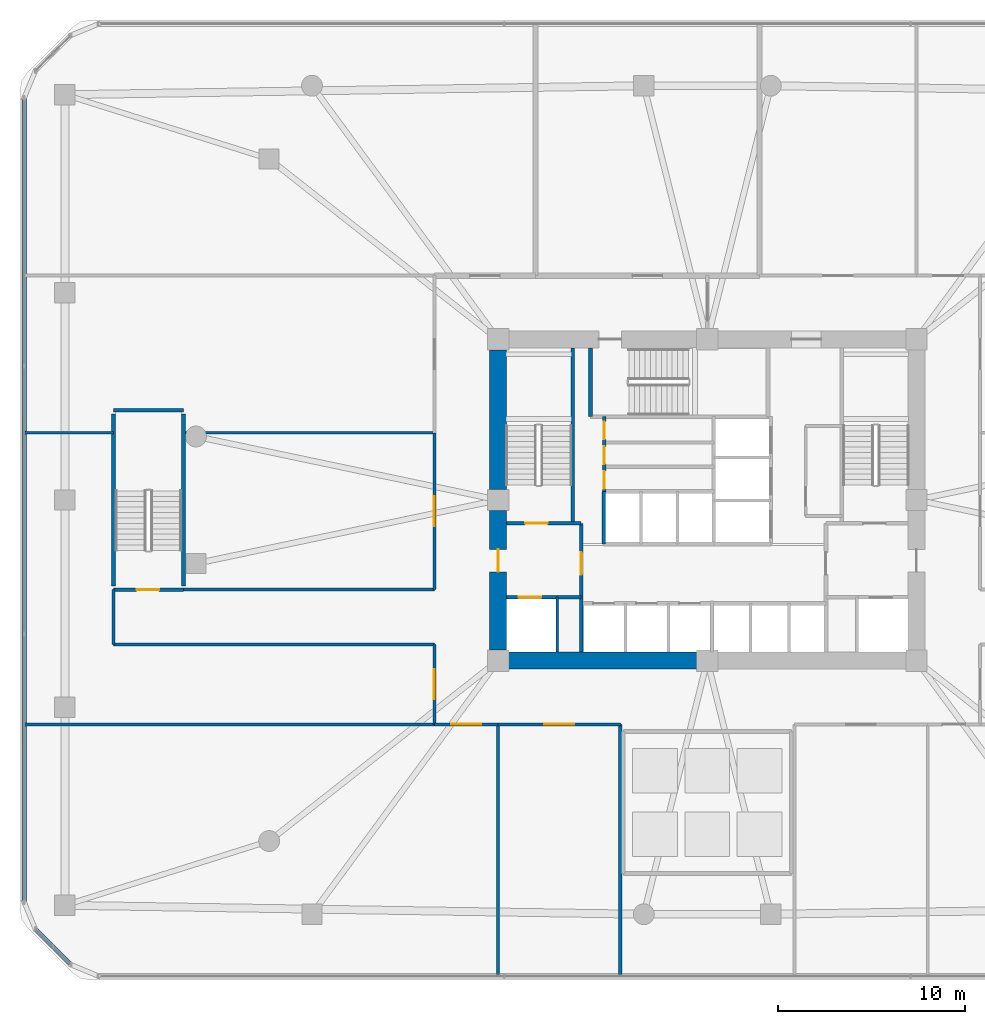
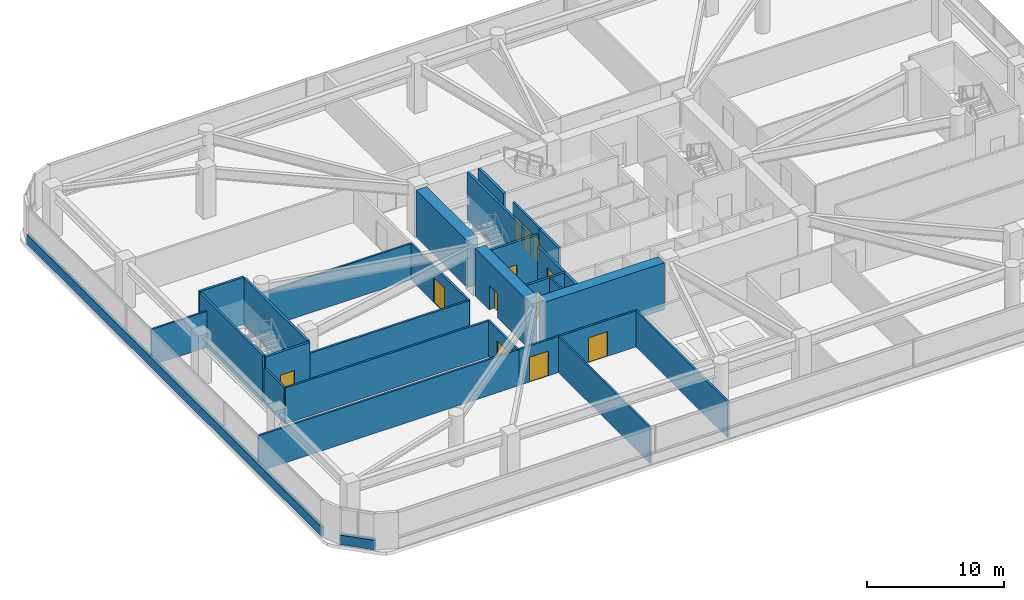
# One storey, part 16 of 21: 29 walls, 12 doors, 12 openings.
"""IFC4 building model written with IfcOpenShell, lengths in metres."""

from ifc_helpers import new_model, si_unit, derived_unit, direction, frame, frame_2d, origin, place, context, subcontext, project, spatial, rectangle, extrude, material, layer, layer_set, type_object, element, fill, save


model = new_model("IFC4")

# Units and contexts
model_context = context("Model", 3, precision=1e-05, world=origin(), true_north=direction((0.0, 1.0)))
body_context = subcontext(model_context, "Body", "Model", "MODEL_VIEW")
ifc_project = project(units=[si_unit("LENGTHUNIT", "METRE"), si_unit("AREAUNIT", "SQUARE_METRE"), si_unit("VOLUMEUNIT", "CUBIC_METRE"), si_unit("PLANEANGLEUNIT", "RADIAN"), si_unit("MASSUNIT", "GRAM", prefix="KILO"), derived_unit("THERMALTRANSMITTANCEUNIT", [(si_unit("POWERUNIT", "WATT"), 1), (si_unit("LENGTHUNIT", "METRE"), -2), (si_unit("THERMODYNAMICTEMPERATUREUNIT", "KELVIN"), -1)])], contexts=[model_context])

# Site, building, storey
site_placement = place(None, origin())
site = spatial("IfcSite", under=ifc_project, at=site_placement, CompositionType="ELEMENT")
building_placement = place(site_placement, origin())
building = spatial("IfcBuilding", under=site, at=building_placement, Name="Koralith Skygarden Medical Center", CompositionType="ELEMENT")
storey_placement = place(building_placement, frame((0.0, 0.0, 9.89990234375)))
storey = spatial("IfcBuildingStorey", under=building, at=storey_placement, Name="L02", CompositionType="ELEMENT", Elevation=9.89990234375)

# Walls
ifc_material_1 = material(Name="Gypsum Board Partition")
ifc_layer_1 = layer(ifc_material_1, 0.14990234375)
ifc_layer_set_1 = layer_set([ifc_layer_1], Name="Gypsum Board Partition")
wall_type_1 = type_object("IfcWallType", Name="Clinical Acoustic Partition 150", PredefinedType="PARTITIONING", material=ifc_layer_set_1)
wall_1_placement = place(storey_placement, frame((25.800048828125, 0.43994140625, 0.0), z_axis=(0.0, 0.0, 1.0), x_axis=(0.0, 1.0, 0.0)))
element("IfcWall", 1, at=wall_1_placement, inside=storey, type_object=wall_type_1, Name="L02 Clinical Acoustic Partition 150 W-PDPART-L02-SL-1", PredefinedType="PARTITIONING", context=body_context, shape_type="SweptSolid", body=[
    extrude(rectangle(XDim=13.449951171875, YDim=0.14990234375, at=frame_2d((6.72509765625, 0.0))), origin(), (0.0, 0.0, 1.0), 3.210205078125),
])
wall_2_placement = place(storey_placement, frame((8.949951171875, 29.5, 0.0), z_axis=(0.0, 0.0, 1.0), x_axis=(1.0, 0.0, 0.0)))
element("IfcWall", 2, at=wall_2_placement, inside=storey, type_object=wall_type_1, Name="L02 Clinical Acoustic Partition 150 W-PDPART-L02-W-NA", PredefinedType="PARTITIONING", context=body_context, shape_type="SweptSolid", body=[
    extrude(rectangle(XDim=13.43994140625, YDim=0.14990234375, at=frame_2d((6.719970703125, 0.0))), origin(), (0.0, 0.0, 1.0), 3.210205078125),
])
wall_3_placement = place(storey_placement, frame((5.199951171875, 29.5, 0.0), z_axis=(0.0, 0.0, 1.0), x_axis=(-1.0, 0.0, 0.0)))
element("IfcWall", 3, at=wall_3_placement, inside=storey, type_object=wall_type_1, Name="L02 Clinical Acoustic Partition 150 W-PDPART-L02-W-NB", PredefinedType="PARTITIONING", context=body_context, shape_type="SweptSolid", body=[
    extrude(rectangle(XDim=4.760009765625, YDim=0.14990234375, at=frame_2d((2.3798828125, 0.0))), origin(), (0.0, 0.0, 1.0), 3.210205078125),
])
ifc_layer_2 = layer(ifc_material_1, 0.1650390625)
ifc_layer_set_2 = layer_set([ifc_layer_2], Name="Gypsum Board Partition")
wall_type_2 = type_object("IfcWallType", Name="Clinical Corridor Partition 165", PredefinedType="PARTITIONING", material=ifc_layer_set_2)
wall_4_placement = place(storey_placement, frame((0.43994140625, 13.889892578125, 0.0), z_axis=(0.0, 0.0, 1.0), x_axis=(1.0, 0.0, 0.0)))
element("IfcWall", 4, at=wall_4_placement, inside=storey, type_object=wall_type_2, Name="L02 Clinical Corridor Partition 165 W-WB-L02-SW", PredefinedType="PARTITIONING", context=body_context, shape_type="SweptSolid", body=[
    extrude(rectangle(XDim=21.949951171875, YDim=0.1650390625, at=frame_2d((10.97509765625, 0.0))), origin(), (0.0, 0.0, 1.0), 3.210205078125),
])
wall_5_placement = place(storey_placement, frame((5.199951171875, 18.169921875, 0.0), z_axis=(0.0, 0.0, 1.0), x_axis=(1.0, 0.0, 0.0)))
element("IfcWall", 5, at=wall_5_placement, inside=storey, type_object=wall_type_2, Name="L02 Clinical Corridor Partition 165 W-PARM-L02-WS", PredefinedType="PARTITIONING", context=body_context, shape_type="SweptSolid", body=[
    extrude(rectangle(XDim=17.18994140625, YDim=0.1650390625, at=frame_2d((8.594970703125, 0.0))), origin(), (0.0, 0.0, 1.0), 3.210205078125),
])
wall_6_placement = place(storey_placement, frame((5.199951171875, 18.169921875, 0.0), z_axis=(0.0, 0.0, 1.0), x_axis=(0.0, 1.0, 0.0)))
element("IfcWall", 6, at=wall_6_placement, inside=storey, type_object=wall_type_2, Name="L02 Clinical Corridor Partition 165 W-PARM-L02-WW", PredefinedType="PARTITIONING", context=body_context, shape_type="SweptSolid", body=[
    extrude(rectangle(XDim=2.93017578125, YDim=0.1650390625, at=frame_2d((1.465087890625, 0.0))), origin(), (0.0, 0.0, 1.0), 3.210205078125),
])
wall_7_placement = place(storey_placement, frame((8.949951171875, 21.10009765625, 0.0), z_axis=(0.0, 0.0, 1.0), x_axis=(1.0, 0.0, 0.0)))
element("IfcWall", 7, at=wall_7_placement, inside=storey, type_object=wall_type_2, Name="L02 Clinical Corridor Partition 165 W-PARM-L02-WN", PredefinedType="PARTITIONING", context=body_context, shape_type="SweptSolid", body=[
    extrude(rectangle(XDim=13.43994140625, YDim=0.1650390625, at=frame_2d((6.719970703125, 0.0))), origin(), (0.0, 0.0, 1.0), 3.210205078125),
])
wall_8_placement = place(storey_placement, frame((32.340087890625, 0.43994140625, 0.0), z_axis=(0.0, 0.0, 1.0), x_axis=(0.0, 1.0, 0.0)))
element("IfcWall", 8, at=wall_8_placement, inside=storey, type_object=wall_type_2, Name="L02 Clinical Corridor Partition 165 W-PATR-L02-W", PredefinedType="PARTITIONING", context=body_context, shape_type="SweptSolid", body=[
    extrude(rectangle(XDim=13.449951171875, YDim=0.1650390625, at=frame_2d((6.72509765625, 0.0))), origin(), (0.0, 0.0, 1.0), 3.210205078125),
])

# Wall, opening, door
wall_9_placement = place(storey_placement, frame((22.389892578125, 13.889892578125, 0.0), z_axis=(0.0, 0.0, 1.0), x_axis=(1.0, 0.0, 0.0)))
wall_9 = element("IfcWall", 9, at=wall_9_placement, inside=storey, type_object=wall_type_2, Name="L02 Clinical Corridor Partition 165 W-PDCOR-L02-SL-1", PredefinedType="PARTITIONING", context=body_context, shape_type="SweptSolid", body=[
    extrude(rectangle(XDim=3.41015625, YDim=0.1650390625, at=frame_2d((1.705078125, 0.0))), origin(), (0.0, 0.0, 1.0), 3.210205078125),
])
opening_1_placement = place(wall_9_placement, frame((0.905029296875, 0.0, 0.0)))
opening_1 = element("IfcOpeningElement", 10, at=opening_1_placement, cuts=wall_9, Name="Opening D-DBL", PredefinedType="OPENING", context=body_context, shape_type="SweptSolid", body=[
    extrude(rectangle(XDim=1.60009765625, YDim=2.199951171875, at=frame_2d((0.800048828125, 1.10009765625))), frame((0.0, 0.092529296875, 0.0), z_axis=(0.0, -1.0, 0.0), x_axis=(1.0, 0.0, 0.0)), (0.0, 0.0, 1.0), 0.18505859375),
])
ifc_material_2 = material(Name="Aluminium 6063-T6", Category="aluminium")
door_type_1 = type_object("IfcDoorType", Name="Double Clinical Suite Door D-DBL 1600", OperationType="NOTDEFINED", PredefinedType="DOOR", material=ifc_material_2)
door_1_placement = place(opening_1_placement, frame((1.60009765625, 0.0, 0.0), z_axis=(0.0, 0.0, 1.0), x_axis=(-1.0, 0.0, 0.0)))
door_1 = element("IfcDoor", 11, at=door_1_placement, inside=storey, type_object=door_type_1, Name="L02 Fluoroscopy and Ultrasound Suite Door", OperationType="DOUBLE_DOOR_SINGLE_SWING", OverallHeight=2.199951171875, OverallWidth=1.60009765625, PredefinedType="DOOR", context=body_context, shape_type="SweptSolid", body=[
    extrude(rectangle(XDim=1.60009765625, YDim=2.199951171875, at=frame_2d((0.800048828125, 1.10009765625))), frame((0.0, 0.02490234375, 0.0), z_axis=(0.0, -1.0, 0.0), x_axis=(1.0, 0.0, 0.0)), (0.0, 0.0, 1.0), 0.050048828125),
])
fill(opening_1, door_1)

wall_10_placement = place(storey_placement, frame((25.800048828125, 13.889892578125, 0.0), z_axis=(0.0, 0.0, 1.0), x_axis=(1.0, 0.0, 0.0)))
wall_10 = element("IfcWall", 12, at=wall_10_placement, inside=storey, type_object=wall_type_2, Name="L02 Clinical Corridor Partition 165 W-PDCOR-L02-SL-2", PredefinedType="PARTITIONING", context=body_context, shape_type="SweptSolid", body=[
    extrude(rectangle(XDim=6.5400390625, YDim=0.1650390625, at=frame_2d((3.27001953125, 0.0))), origin(), (0.0, 0.0, 1.0), 3.210205078125),
])
opening_2_placement = place(wall_10_placement, frame((2.469970703125, 0.0, 0.0)))
opening_2 = element("IfcOpeningElement", 13, at=opening_2_placement, cuts=wall_10, Name="Opening D-DBL", PredefinedType="OPENING", context=body_context, shape_type="SweptSolid", body=[
    extrude(rectangle(XDim=1.60009765625, YDim=2.199951171875, at=frame_2d((0.800048828125, 1.10009765625))), frame((0.0, 0.092529296875, 0.0), z_axis=(0.0, -1.0, 0.0), x_axis=(1.0, 0.0, 0.0)), (0.0, 0.0, 1.0), 0.18505859375),
])
door_2_placement = place(opening_2_placement, frame((1.60009765625, 0.0, 0.0), z_axis=(0.0, 0.0, 1.0), x_axis=(-1.0, 0.0, 0.0)))
door_2 = element("IfcDoor", 14, at=door_2_placement, inside=storey, type_object=door_type_1, Name="L02 Imaging Prep and Holding Office Door", OperationType="DOUBLE_DOOR_SINGLE_SWING", OverallHeight=2.199951171875, OverallWidth=1.60009765625, PredefinedType="DOOR", context=body_context, shape_type="SweptSolid", body=[
    extrude(rectangle(XDim=1.60009765625, YDim=2.199951171875, at=frame_2d((0.800048828125, 1.10009765625))), frame((0.0, 0.02490234375, 0.0), z_axis=(0.0, -1.0, 0.0), x_axis=(1.0, 0.0, 0.0)), (0.0, 0.0, 1.0), 0.050048828125),
])
fill(opening_2, door_2)

wall_11_placement = place(storey_placement, frame((22.389892578125, 13.889892578125, 0.0), z_axis=(0.0, 0.0, 1.0), x_axis=(0.0, 1.0, 0.0)))
wall_11 = element("IfcWall", 15, at=wall_11_placement, inside=storey, type_object=wall_type_2, Name="L02 Clinical Corridor Partition 165 W-PDCOR-L02-W-1", PredefinedType="PARTITIONING", context=body_context, shape_type="SweptSolid", body=[
    extrude(rectangle(XDim=4.280029296875, YDim=0.1650390625, at=frame_2d((2.14013671875, 0.0))), origin(), (0.0, 0.0, 1.0), 3.210205078125),
])
opening_3_placement = place(wall_11_placement, frame((1.340087890625, 0.0, 0.0)))
opening_3 = element("IfcOpeningElement", 16, at=opening_3_placement, cuts=wall_11, Name="Opening D-DBL", PredefinedType="OPENING", context=body_context, shape_type="SweptSolid", body=[
    extrude(rectangle(XDim=1.60009765625, YDim=2.199951171875, at=frame_2d((0.800048828125, 1.10009765625))), frame((0.0, 0.092529296875, 0.0), z_axis=(0.0, -1.0, 0.0), x_axis=(1.0, 0.0, 0.0)), (0.0, 0.0, 1.0), 0.18505859375),
])
door_3_placement = place(opening_3_placement, frame((1.60009765625, 0.0, 0.0), z_axis=(0.0, 0.0, 1.0), x_axis=(-1.0, 0.0, 0.0)))
door_3 = element("IfcDoor", 17, at=door_3_placement, inside=storey, type_object=door_type_1, Name="L02 PET-CT Nuclear Medicine Suite Door", OperationType="DOUBLE_DOOR_SINGLE_SWING", OverallHeight=2.199951171875, OverallWidth=1.60009765625, PredefinedType="DOOR", context=body_context, shape_type="SweptSolid", body=[
    extrude(rectangle(XDim=1.60009765625, YDim=2.199951171875, at=frame_2d((0.800048828125, 1.10009765625))), frame((0.0, 0.02490234375, 0.0), z_axis=(0.0, -1.0, 0.0), x_axis=(1.0, 0.0, 0.0)), (0.0, 0.0, 1.0), 0.050048828125),
])
fill(opening_3, door_3)

wall_12_placement = place(storey_placement, frame((22.389892578125, 21.10009765625, 0.0), z_axis=(0.0, 0.0, 1.0), x_axis=(0.0, 1.0, 0.0)))
wall_12 = element("IfcWall", 18, at=wall_12_placement, inside=storey, type_object=wall_type_2, Name="L02 Clinical Corridor Partition 165 W-PDCOR-L02-W-2", PredefinedType="PARTITIONING", context=body_context, shape_type="SweptSolid", body=[
    extrude(rectangle(XDim=8.39990234375, YDim=0.1650390625, at=frame_2d((4.199951171875, 0.0))), origin(), (0.0, 0.0, 1.0), 3.210205078125),
])
opening_4_placement = place(wall_12_placement, frame((3.39990234375, 0.0, 0.0)))
opening_4 = element("IfcOpeningElement", 19, at=opening_4_placement, cuts=wall_12, Name="Opening D-DBL", PredefinedType="OPENING", context=body_context, shape_type="SweptSolid", body=[
    extrude(rectangle(XDim=1.60009765625, YDim=2.199951171875, at=frame_2d((0.800048828125, 1.10009765625))), frame((0.0, 0.092529296875, 0.0), z_axis=(0.0, -1.0, 0.0), x_axis=(1.0, 0.0, 0.0)), (0.0, 0.0, 1.0), 0.18505859375),
])
door_4_placement = place(opening_4_placement, frame((1.60009765625, 0.0, 0.0), z_axis=(0.0, 0.0, 1.0), x_axis=(-1.0, 0.0, 0.0)))
door_4 = element("IfcDoor", 20, at=door_4_placement, inside=storey, type_object=door_type_1, Name="L02 Imaging Control and Prep Room Door", OperationType="DOUBLE_DOOR_SINGLE_SWING", OverallHeight=2.199951171875, OverallWidth=1.60009765625, PredefinedType="DOOR", context=body_context, shape_type="SweptSolid", body=[
    extrude(rectangle(XDim=1.60009765625, YDim=2.199951171875, at=frame_2d((0.800048828125, 1.10009765625))), frame((0.0, 0.02490234375, 0.0), z_axis=(0.0, -1.0, 0.0), x_axis=(1.0, 0.0, 0.0)), (0.0, 0.0, 1.0), 0.050048828125),
])
fill(opening_4, door_4)

ifc_layer_3 = layer(ifc_material_1, 0.199951171875)
ifc_layer_set_3 = layer_set([ifc_layer_3], Name="Gypsum Board Partition")
wall_type_3 = type_object("IfcWallType", Name="Fire Shaft Wall 200", PredefinedType="SOLIDWALL", material=ifc_layer_set_3)
wall_13_placement = place(storey_placement, frame((26.25, 20.699951171875, 0.0), z_axis=(0.0, 0.0, 1.0), x_axis=(1.0, 0.0, 0.0)))
wall_13 = element("IfcWall", 21, at=wall_13_placement, inside=storey, type_object=wall_type_3, Name="L02 Fire Shaft Wall 200 W-CORE-L02-FF1-N", PredefinedType="SOLIDWALL", context=body_context, shape_type="SweptSolid", body=[
    extrude(rectangle(XDim=4.0, YDim=0.199951171875, at=frame_2d((2.0, 0.0))), origin(), (0.0, 0.0, 1.0), 3.210205078125),
])
opening_5_placement = place(wall_13_placement, frame((0.64990234375, 0.0, 0.0)))
opening_5 = element("IfcOpeningElement", 22, at=opening_5_placement, cuts=wall_13, Name="Opening LD-FF", PredefinedType="OPENING", context=body_context, shape_type="SweptSolid", body=[
    extrude(rectangle(XDim=1.199951171875, YDim=2.14990234375, at=frame_2d((0.60009765625, 1.074951171875))), frame((0.0, 0.10986328125, 0.0), z_axis=(0.0, -1.0, 0.0), x_axis=(1.0, 0.0, 0.0)), (0.0, 0.0, 1.0), 0.219970703125),
])
ifc_material_3 = material(Name="Steel ASTM A500 Grade C", Category="steel")
door_type_2 = type_object("IfcDoorType", Name="Fire Lift Sliding Landing Door LD-FF 1200", OperationType="NOTDEFINED", PredefinedType="DOOR", material=ifc_material_3)
door_5_placement = place(opening_5_placement, origin())
door_5 = element("IfcDoor", 23, at=door_5_placement, inside=storey, type_object=door_type_2, Name="L02 Fire Service Elevator FF1 Landing Door", OperationType="SLIDING_TO_LEFT", OverallHeight=2.14990234375, OverallWidth=1.199951171875, PredefinedType="DOOR", context=body_context, shape_type="SweptSolid", body=[
    extrude(rectangle(XDim=1.199951171875, YDim=2.14990234375, at=frame_2d((0.60009765625, 1.074951171875))), frame((0.0, 0.02490234375, 0.0), z_axis=(0.0, -1.0, 0.0), x_axis=(1.0, 0.0, 0.0)), (0.0, 0.0, 1.0), 0.050048828125),
])
fill(opening_5, door_5)

wall_14_placement = place(storey_placement, frame((30.25, 17.75, 0.0), z_axis=(0.0, 0.0, 1.0), x_axis=(0.0, 1.0, 0.0)))
wall_14 = element("IfcWall", 24, at=wall_14_placement, inside=storey, type_object=wall_type_3, Name="L02 Fire Shaft Wall 200 W-CORE-L02-FSAEW-E", PredefinedType="SOLIDWALL", context=body_context, shape_type="SweptSolid", body=[
    extrude(rectangle(XDim=6.89990234375, YDim=0.199951171875, at=frame_2d((3.449951171875, 0.0))), origin(), (0.0, 0.0, 1.0), 3.210205078125),
])
opening_6_placement = place(wall_14_placement, frame((4.14990234375, 0.0, 0.0)))
opening_6 = element("IfcOpeningElement", 25, at=opening_6_placement, cuts=wall_14, Name="Opening D-ST60", PredefinedType="OPENING", context=body_context, shape_type="SweptSolid", body=[
    extrude(rectangle(XDim=1.199951171875, YDim=2.14990234375, at=frame_2d((0.60009765625, 1.074951171875))), frame((0.0, 0.10986328125, 0.0), z_axis=(0.0, -1.0, 0.0), x_axis=(1.0, 0.0, 0.0)), (0.0, 0.0, 1.0), 0.219970703125),
])
door_type_3 = type_object("IfcDoorType", Name="Smokeproof Stair Fire Door FD60S 1200", OperationType="NOTDEFINED", PredefinedType="DOOR", material=ifc_material_3)
door_6_placement = place(opening_6_placement, origin())
door_6 = element("IfcDoor", 26, at=door_6_placement, inside=storey, type_object=door_type_3, Name="L02 West Firefighting Lobby Inner Fire Door", OperationType="SINGLE_SWING_LEFT", OverallHeight=2.14990234375, OverallWidth=1.199951171875, PredefinedType="DOOR", context=body_context, shape_type="SweptSolid", body=[
    extrude(rectangle(XDim=1.199951171875, YDim=2.14990234375, at=frame_2d((0.60009765625, 1.074951171875))), frame((0.0, 0.02490234375, 0.0), z_axis=(0.0, -1.0, 0.0), x_axis=(1.0, 0.0, 0.0)), (0.0, 0.0, 1.0), 0.050048828125),
])
fill(opening_6, door_6)

# Walls
wall_15_placement = place(storey_placement, frame((31.449951171875, 23.5400390625, 0.0), z_axis=(0.0, 0.0, 1.0), x_axis=(0.0, 1.0, 0.0)))
element("IfcWall", 27, at=wall_15_placement, inside=storey, type_object=wall_type_3, Name="L02 Fire Shaft Wall 200 W-CORE-L02-PH-W", PredefinedType="SOLIDWALL", context=body_context, shape_type="SweptSolid", body=[
    extrude(rectangle(XDim=2.81005859375, YDim=0.199951171875, at=frame_2d((1.405029296875, 0.0))), origin(), (0.0, 0.0, 1.0), 3.210205078125),
])
ifc_material_4 = material(Name="Warm Oolitic Limestone Cladding", Category="masonry")
ifc_layer_4 = layer(ifc_material_4, 0.239990234375)
ifc_layer_set_4 = layer_set([ifc_layer_4], Name="Warm Oolitic Limestone Cladding")
wall_type_4 = type_object("IfcWallType", Name="Limestone Spandrel Sill Backup Wall 240", PredefinedType="SOLIDWALL", material=ifc_layer_set_4)
wall_16_placement = place(storey_placement, frame((0.419921875, 47.4208984375, 0.0), z_axis=(0.0, 0.0, 1.0), x_axis=(0.0, -1.0, 0.0)))
element("IfcWall", 28, at=wall_16_placement, inside=storey, type_object=wall_type_4, Name="L02 Sill Spandrel Wall W", PredefinedType="SOLIDWALL", context=body_context, shape_type="SweptSolid", body=[
    extrude(rectangle(XDim=43.0419921875, YDim=0.239990234375, at=frame_2d((21.52099609375, 0.0))), origin(), (0.0, 0.0, 1.0), 0.85009765625),
])
wall_17_placement = place(storey_placement, frame((1.02099609375, 2.927978515625, 0.0), z_axis=(0.0, 0.0, 1.0), x_axis=(0.707106781187, -0.707106781187, 0.0)))
element("IfcWall", 29, at=wall_17_placement, inside=storey, type_object=wall_type_4, Name="L02 Sill Spandrel Wall SW", PredefinedType="SOLIDWALL", context=body_context, shape_type="SweptSolid", body=[
    extrude(rectangle(XDim=2.69677734375, YDim=0.239990234375, at=frame_2d((1.348388671875, 0.0))), origin(), (0.0, 0.0, 1.0), 0.85009765625),
])
ifc_material_5 = material(Name="Concrete C70/85", Category="concrete")
ifc_layer_5 = layer(ifc_material_5, 0.89990234375)
ifc_layer_set_5 = layer_set([ifc_layer_5], Name="Concrete C70/85")
wall_type_5 = type_object("IfcWallType", Name="Lower Core Shear Wall 900", PredefinedType="SHEAR", material=ifc_layer_set_5)
wall_18_placement = place(storey_placement, frame((26.364990234375, 17.300048828125, 0.0), z_axis=(0.0, 0.0, 1.0), x_axis=(1.0, 0.0, 0.0)))
element("IfcWall", 30, at=wall_18_placement, inside=storey, type_object=wall_type_5, Name="L02 Core Shear Wall Segment 1", PredefinedType="SHEAR", context=body_context, shape_type="SweptSolid", body=[
    extrude(rectangle(XDim=10.070068359375, YDim=0.89990234375, at=frame_2d((5.03515625, 0.0))), origin(), (0.0, 0.0, 1.0), 4.2001953125),
])
wall_19_placement = place(storey_placement, frame((25.800048828125, 33.93505859375, 0.0), z_axis=(0.0, 0.0, 1.0), x_axis=(0.0, -1.0, 0.0)))
element("IfcWall", 31, at=wall_19_placement, inside=storey, type_object=wall_type_5, Name="L02 Core Shear Wall Segment 7", PredefinedType="SHEAR", context=body_context, shape_type="SweptSolid", body=[
    extrude(rectangle(XDim=7.469970703125, YDim=0.89990234375, at=frame_2d((3.73486328125, 0.0))), origin(), (0.0, 0.0, 1.0), 4.2001953125),
])

# Wall, opening, door
wall_20_placement = place(storey_placement, frame((25.800048828125, 25.3349609375, 0.0), z_axis=(0.0, 0.0, 1.0), x_axis=(0.0, -1.0, 0.0)))
wall_20 = element("IfcWall", 32, at=wall_20_placement, inside=storey, type_object=wall_type_5, Name="L02 Core Shear Wall Segment 8", PredefinedType="SHEAR", context=body_context, shape_type="SweptSolid", body=[
    extrude(rectangle(XDim=7.469970703125, YDim=0.89990234375, at=frame_2d((3.73486328125, 0.0))), origin(), (0.0, 0.0, 1.0), 4.2001953125),
])
opening_7_placement = place(wall_20_placement, frame((2.0849609375, 0.0, 0.0)))
opening_7 = element("IfcOpeningElement", 33, at=opening_7_placement, cuts=wall_20, Name="Opening D-ST60", PredefinedType="OPENING", context=body_context, shape_type="SweptSolid", body=[
    extrude(rectangle(XDim=1.199951171875, YDim=2.14990234375, at=frame_2d((0.60009765625, 1.074951171875))), frame((0.0, 0.4599609375, 0.0), z_axis=(0.0, -1.0, 0.0), x_axis=(1.0, 0.0, 0.0)), (0.0, 0.0, 1.0), 0.919921875),
])
door_7_placement = place(opening_7_placement, frame((1.199951171875, 0.0, 0.0), z_axis=(0.0, 0.0, 1.0), x_axis=(-1.0, 0.0, 0.0)))
door_7 = element("IfcDoor", 34, at=door_7_placement, inside=storey, type_object=door_type_3, Name="L02 West Corridor to Firefighting Lobby Door", OperationType="SINGLE_SWING_LEFT", OverallHeight=2.14990234375, OverallWidth=1.199951171875, PredefinedType="DOOR", context=body_context, shape_type="SweptSolid", body=[
    extrude(rectangle(XDim=1.199951171875, YDim=2.14990234375, at=frame_2d((0.60009765625, 1.074951171875))), frame((0.0, 0.02490234375, 0.0), z_axis=(0.0, -1.0, 0.0), x_axis=(1.0, 0.0, 0.0)), (0.0, 0.0, 1.0), 0.050048828125),
])
fill(opening_7, door_7)

# Wall, openings, doors
ifc_layer_6 = layer(ifc_material_1, 0.1650390625)
ifc_layer_set_6 = layer_set([ifc_layer_6], Name="Gypsum Board Partition")
wall_type_6 = type_object("IfcWallType", Name="Plumbing Wet Wall 165", PredefinedType="PLUMBINGWALL", material=ifc_layer_set_6)
wall_21_placement = place(storey_placement, frame((31.47998046875, 26.320068359375, 0.0), z_axis=(0.0, 0.0, 1.0), x_axis=(0.0, 1.0, 0.0)))
wall_21 = element("IfcWall", 35, at=wall_21_placement, inside=storey, type_object=wall_type_6, Name="L02 Plumbing Wet Wall 165 W-CORE-L02-FLEX-W", PredefinedType="PLUMBINGWALL", context=body_context, shape_type="SweptSolid", body=[
    extrude(rectangle(XDim=4.0400390625, YDim=0.1650390625, at=frame_2d((2.02001953125, 0.0))), origin(), (0.0, 0.0, 1.0), 3.210205078125),
])
opening_8_placement = place(wall_21_placement, frame((0.179931640625, 0.0, 0.0)))
opening_8 = element("IfcOpeningElement", 36, at=opening_8_placement, cuts=wall_21, Name="Opening D-WC", PredefinedType="OPENING", context=body_context, shape_type="SweptSolid", body=[
    extrude(rectangle(XDim=0.949951171875, YDim=2.10009765625, at=frame_2d((0.47509765625, 1.050048828125))), frame((0.0, 0.092529296875, 0.0), z_axis=(0.0, -1.0, 0.0), x_axis=(1.0, 0.0, 0.0)), (0.0, 0.0, 1.0), 0.18505859375),
])
opening_9_placement = place(wall_21_placement, frame((1.5, 0.0, 0.0)))
opening_9 = element("IfcOpeningElement", 37, at=opening_9_placement, cuts=wall_21, Name="Opening D-WC", PredefinedType="OPENING", context=body_context, shape_type="SweptSolid", body=[
    extrude(rectangle(XDim=0.949951171875, YDim=2.10009765625, at=frame_2d((0.47509765625, 1.050048828125))), frame((0.0, 0.092529296875, 0.0), z_axis=(0.0, -1.0, 0.0), x_axis=(1.0, 0.0, 0.0)), (0.0, 0.0, 1.0), 0.18505859375),
])
opening_10_placement = place(wall_21_placement, frame((2.820068359375, 0.0, 0.0)))
opening_10 = element("IfcOpeningElement", 38, at=opening_10_placement, cuts=wall_21, Name="Opening D-WC", PredefinedType="OPENING", context=body_context, shape_type="SweptSolid", body=[
    extrude(rectangle(XDim=0.949951171875, YDim=2.10009765625, at=frame_2d((0.47509765625, 1.050048828125))), frame((0.0, 0.092529296875, 0.0), z_axis=(0.0, -1.0, 0.0), x_axis=(1.0, 0.0, 0.0)), (0.0, 0.0, 1.0), 0.18505859375),
])
door_type_4 = type_object("IfcDoorType", Name="Accessible Toilet Door D-WC 950", OperationType="NOTDEFINED", PredefinedType="DOOR", material=ifc_material_2)
door_8_placement = place(opening_8_placement, frame((0.949951171875, 0.0, 0.0), z_axis=(0.0, 0.0, 1.0), x_axis=(-1.0, 0.0, 0.0)))
door_8 = element("IfcDoor", 39, at=door_8_placement, inside=storey, type_object=door_type_4, Name="L02 Core Accessible WC Door", OperationType="SINGLE_SWING_LEFT", OverallHeight=2.10009765625, OverallWidth=0.949951171875, PredefinedType="DOOR", context=body_context, shape_type="SweptSolid", body=[
    extrude(rectangle(XDim=0.949951171875, YDim=2.10009765625, at=frame_2d((0.47509765625, 1.050048828125))), frame((0.0, 0.02490234375, 0.0), z_axis=(0.0, -1.0, 0.0), x_axis=(1.0, 0.0, 0.0)), (0.0, 0.0, 1.0), 0.050048828125),
])
fill(opening_8, door_8)
door_9_placement = place(opening_9_placement, frame((0.949951171875, 0.0, 0.0), z_axis=(0.0, 0.0, 1.0), x_axis=(-1.0, 0.0, 0.0)))
door_9 = element("IfcDoor", 40, at=door_9_placement, inside=storey, type_object=door_type_4, Name="L02 Staff Pantry Door", OperationType="SINGLE_SWING_LEFT", OverallHeight=2.10009765625, OverallWidth=0.949951171875, PredefinedType="DOOR", context=body_context, shape_type="SweptSolid", body=[
    extrude(rectangle(XDim=0.949951171875, YDim=2.10009765625, at=frame_2d((0.47509765625, 1.050048828125))), frame((0.0, 0.02490234375, 0.0), z_axis=(0.0, -1.0, 0.0), x_axis=(1.0, 0.0, 0.0)), (0.0, 0.0, 1.0), 0.050048828125),
])
fill(opening_9, door_9)
door_10_placement = place(opening_10_placement, frame((0.949951171875, 0.0, 0.0), z_axis=(0.0, 0.0, 1.0), x_axis=(-1.0, 0.0, 0.0)))
door_10 = element("IfcDoor", 41, at=door_10_placement, inside=storey, type_object=door_type_4, Name="L02 IT Comms Door", OperationType="SINGLE_SWING_RIGHT", OverallHeight=2.10009765625, OverallWidth=0.949951171875, PredefinedType="DOOR", context=body_context, shape_type="SweptSolid", body=[
    extrude(rectangle(XDim=0.949951171875, YDim=2.10009765625, at=frame_2d((0.47509765625, 1.050048828125))), frame((0.0, 0.02490234375, 0.0), z_axis=(0.0, -1.0, 0.0), x_axis=(1.0, 0.0, 0.0)), (0.0, 0.0, 1.0), 0.050048828125),
])
fill(opening_10, door_10)

# Walls
ifc_layer_7 = layer(ifc_material_1, 0.14990234375)
ifc_layer_set_7 = layer_set([ifc_layer_7], Name="Gypsum Board Partition")
wall_type_7 = type_object("IfcWallType", Name="Shaft Partition Wall 150", PredefinedType="PARTITIONING", material=ifc_layer_set_7)
wall_22_placement = place(storey_placement, frame((28.969970703125, 17.75, 0.0), z_axis=(0.0, 0.0, 1.0), x_axis=(0.0, 1.0, 0.0)))
element("IfcWall", 42, at=wall_22_placement, inside=storey, type_object=wall_type_7, Name="L02 Shaft Partition Wall 150 W-CORE-L02-RSRW-DIV", PredefinedType="PARTITIONING", context=body_context, shape_type="SweptSolid", body=[
    extrude(rectangle(XDim=2.949951171875, YDim=0.14990234375, at=frame_2d((1.47509765625, 0.0))), origin(), (0.0, 0.0, 1.0), 3.210205078125),
])
ifc_material_6 = material(Name="Concrete C45/55", Category="concrete")
ifc_layer_8 = layer(ifc_material_6, 0.199951171875)
ifc_layer_set_8 = layer_set([ifc_layer_8], Name="Concrete C45/55")
wall_type_8 = type_object("IfcWallType", Name="Structural Stair Shaft Wall 200", PredefinedType="SHEAR", material=ifc_layer_set_8)
wall_23_placement = place(storey_placement, frame((29.800048828125, 24.64990234375, 0.0), z_axis=(0.0, 0.0, 1.0), x_axis=(0.0, 1.0, 0.0)))
element("IfcWall", 43, at=wall_23_placement, inside=storey, type_object=wall_type_8, Name="L02 Structural Stair Shaft Wall 200 W-CORE-L02-ST1-E", PredefinedType="SHEAR", context=body_context, shape_type="SweptSolid", body=[
    extrude(rectangle(XDim=9.400146484375, YDim=0.199951171875, at=frame_2d((4.7001953125, 0.0))), origin(), (0.0, 0.0, 1.0), 4.2001953125),
])

# Wall, opening, door
wall_24_placement = place(storey_placement, frame((26.25, 24.64990234375, 0.0), z_axis=(0.0, 0.0, 1.0), x_axis=(1.0, 0.0, 0.0)))
wall_24 = element("IfcWall", 44, at=wall_24_placement, inside=storey, type_object=wall_type_8, Name="L02 Structural Stair Shaft Wall 200 W-CORE-L02-ST1-S", PredefinedType="SHEAR", context=body_context, shape_type="SweptSolid", body=[
    extrude(rectangle(XDim=4.0, YDim=0.199951171875, at=frame_2d((2.0, 0.0))), origin(), (0.0, 0.0, 1.0), 4.2001953125),
])
opening_11_placement = place(wall_24_placement, frame((1.0, 0.0, 0.0)))
opening_11 = element("IfcOpeningElement", 45, at=opening_11_placement, cuts=wall_24, Name="Opening D-ST60", PredefinedType="OPENING", context=body_context, shape_type="SweptSolid", body=[
    extrude(rectangle(XDim=1.199951171875, YDim=2.14990234375, at=frame_2d((0.60009765625, 1.074951171875))), frame((0.0, 0.10986328125, 0.0), z_axis=(0.0, -1.0, 0.0), x_axis=(1.0, 0.0, 0.0)), (0.0, 0.0, 1.0), 0.219970703125),
])
door_11_placement = place(opening_11_placement, origin())
door_11 = element("IfcDoor", 46, at=door_11_placement, inside=storey, type_object=door_type_3, Name="L02 Exit Stair ST1 Fire Door", OperationType="SINGLE_SWING_LEFT", OverallHeight=2.14990234375, OverallWidth=1.199951171875, PredefinedType="DOOR", context=body_context, shape_type="SweptSolid", body=[
    extrude(rectangle(XDim=1.199951171875, YDim=2.14990234375, at=frame_2d((0.60009765625, 1.074951171875))), frame((0.0, 0.02490234375, 0.0), z_axis=(0.0, -1.0, 0.0), x_axis=(1.0, 0.0, 0.0)), (0.0, 0.0, 1.0), 0.050048828125),
])
fill(opening_11, door_11)

# Wall
wall_25_placement = place(storey_placement, frame((30.75, 30.360107421875, 0.0), z_axis=(0.0, 0.0, 1.0), x_axis=(0.0, 1.0, 0.0)))
element("IfcWall", 47, at=wall_25_placement, inside=storey, type_object=wall_type_8, Name="L02 Structural Stair Shaft Wall 200 W-CORE-L02-ST3-W", PredefinedType="SHEAR", context=body_context, shape_type="SweptSolid", body=[
    extrude(rectangle(XDim=3.68994140625, YDim=0.199951171875, at=frame_2d((1.844970703125, 0.0))), origin(), (0.0, 0.0, 1.0), 4.2001953125),
])

# Wall, opening, door
wall_26_placement = place(storey_placement, frame((5.199951171875, 21.10009765625, 0.0), z_axis=(0.0, 0.0, 1.0), x_axis=(1.0, 0.0, 0.0)))
wall_26 = element("IfcWall", 48, at=wall_26_placement, inside=storey, type_object=wall_type_8, Name="L02 Structural Stair Shaft Wall 200 W-ST4-L02-S", PredefinedType="SHEAR", context=body_context, shape_type="SweptSolid", body=[
    extrude(rectangle(XDim=3.75, YDim=0.199951171875, at=frame_2d((1.875, 0.0))), origin(), (0.0, 0.0, 1.0), 4.2001953125),
])
opening_12_placement = place(wall_26_placement, frame((1.25, 0.0, 0.0)))
opening_12 = element("IfcOpeningElement", 49, at=opening_12_placement, cuts=wall_26, Name="Opening D-ST60", PredefinedType="OPENING", context=body_context, shape_type="SweptSolid", body=[
    extrude(rectangle(XDim=1.199951171875, YDim=2.14990234375, at=frame_2d((0.60009765625, 1.074951171875))), frame((0.0, 0.10986328125, 0.0), z_axis=(0.0, -1.0, 0.0), x_axis=(1.0, 0.0, 0.0)), (0.0, 0.0, 1.0), 0.219970703125),
])
door_12_placement = place(opening_12_placement, origin())
door_12 = element("IfcDoor", 50, at=door_12_placement, inside=storey, type_object=door_type_3, Name="L02 Exit Stair ST4 Fire Door", OperationType="SINGLE_SWING_LEFT", OverallHeight=2.14990234375, OverallWidth=1.199951171875, PredefinedType="DOOR", context=body_context, shape_type="SweptSolid", body=[
    extrude(rectangle(XDim=1.199951171875, YDim=2.14990234375, at=frame_2d((0.60009765625, 1.074951171875))), frame((0.0, 0.02490234375, 0.0), z_axis=(0.0, -1.0, 0.0), x_axis=(1.0, 0.0, 0.0)), (0.0, 0.0, 1.0), 0.050048828125),
])
fill(opening_12, door_12)

# Walls
wall_27_placement = place(storey_placement, frame((5.199951171875, 30.699951171875, 0.0), z_axis=(0.0, 0.0, 1.0), x_axis=(1.0, 0.0, 0.0)))
element("IfcWall", 51, at=wall_27_placement, inside=storey, type_object=wall_type_8, Name="L02 Structural Stair Shaft Wall 200 W-ST4-L02-N", PredefinedType="SHEAR", context=body_context, shape_type="SweptSolid", body=[
    extrude(rectangle(XDim=3.75, YDim=0.199951171875, at=frame_2d((1.875, 0.0))), origin(), (0.0, 0.0, 1.0), 4.2001953125),
])
for number, where, z_axis, x_axis, name in (
    (52, (5.199951171875, 21.300048828125, 0.0), (0.0, 0.0, 1.0), (0.0, 1.0, 0.0), "L02 Structural Stair Shaft Wall 200 W-ST4-L02-W"),
    (53, (8.949951171875, 21.300048828125, 0.0), (0.0, 0.0, 1.0), (0.0, 1.0, 0.0), "L02 Structural Stair Shaft Wall 200 W-ST4-L02-E"),
):
    element("IfcWall", number, at=place(storey_placement, frame(where, z_axis=z_axis, x_axis=x_axis)), inside=storey, type_object=wall_type_8, Name=name, PredefinedType="SHEAR", context=body_context, shape_type="SweptSolid", body=[
        extrude(rectangle(XDim=9.199951171875, YDim=0.199951171875, at=frame_2d((4.60009765625, 0.0))), origin(), (0.0, 0.0, 1.0), 4.2001953125),
    ])

save(model, "model.ifc")
